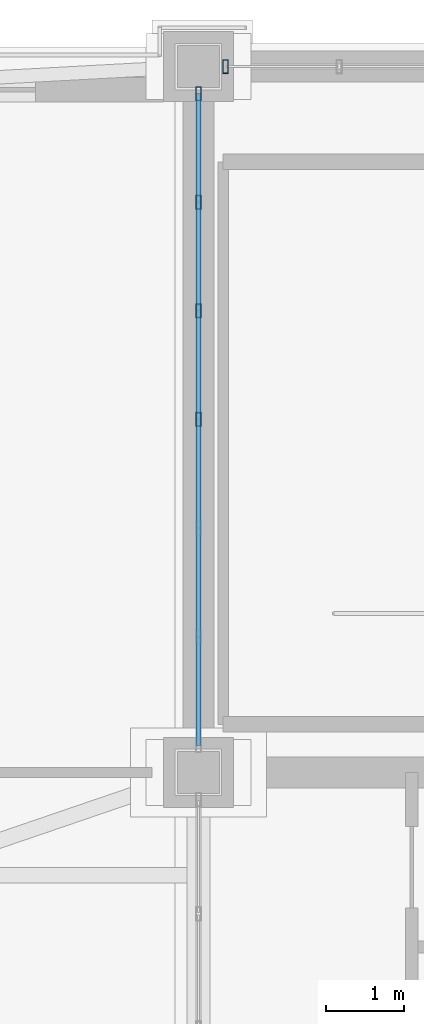
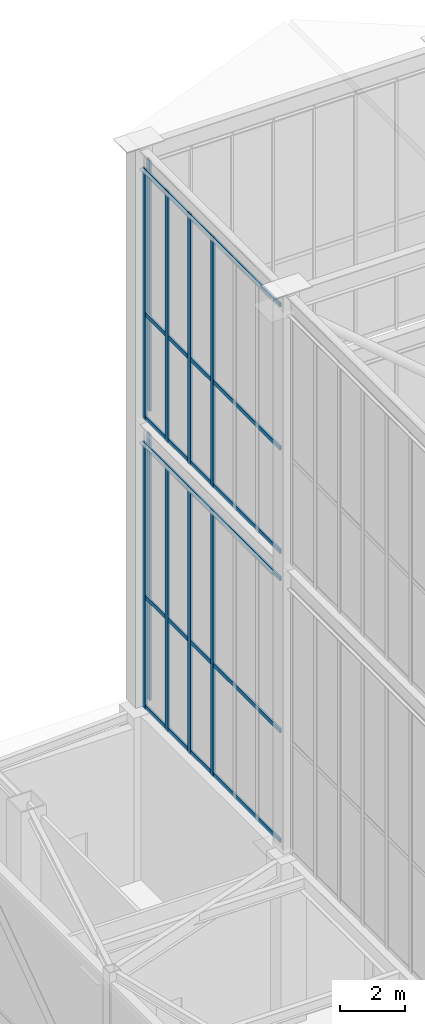
# One storey, part 21 of 135: 16 members, 4 elements without a shape of their own.
"""IFC4 building model written with IfcOpenShell, lengths in metres."""

from ifc_helpers import new_model, si_unit, direction, frame, origin, origin_2d, place, context, subcontext, project, spatial, hollow_rectangle, extrude, source, transform, mapped, material, layer, layer_set, material_profile, profile_set, type_object, element, aggregate, save


model = new_model("IFC4")

# Units and contexts
model_context = context("Model", 3, precision=1e-05, world=origin(), true_north=direction((0.0, 1.0)))
body_context = subcontext(model_context, "Body", "Model", "MODEL_VIEW")
ifc_project = project(units=[si_unit("LENGTHUNIT", "METRE"), si_unit("AREAUNIT", "SQUARE_METRE"), si_unit("VOLUMEUNIT", "CUBIC_METRE"), si_unit("PLANEANGLEUNIT", "RADIAN"), si_unit("MASSUNIT", "GRAM", prefix="KILO")], contexts=[model_context])

# Site, building, storey
site_placement = place(None, origin())
site = spatial("IfcSite", under=ifc_project, at=site_placement, CompositionType="ELEMENT")
building_placement = place(site_placement, origin())
building = spatial("IfcBuilding", under=site, at=building_placement, Name="Giltprow Tower", CompositionType="ELEMENT")
storey_placement = place(building_placement, frame((0.0, 0.0, 352.699951171875)))
storey = spatial("IfcBuildingStorey", under=building, at=storey_placement, Name="L92", CompositionType="ELEMENT", Elevation=352.699951171875)

# Curtain wall, member
ifc_material = material(Name="Anodized bronze", Category="metal")
ifc_layer = layer(ifc_material, 0.179931640625, Name="Anodized bronze")
ifc_layer_set = layer_set([ifc_layer], Name="Anodized bronze")
curtain_wall_type = type_object("IfcCurtainWallType", Name="CW-CROWN-LANTERN", PredefinedType="NOTDEFINED", material=ifc_layer_set)
curtain_wall_1_placement = place(storey_placement, origin())
curtain_wall_1 = element("IfcCurtainWall", 1, at=curtain_wall_1_placement, inside=storey, type_object=curtain_wall_type, Name="Crown West Lower Lantern Glazing 4", PredefinedType="NOTDEFINED")
ifc_material_profile_1 = material_profile(ifc_material, hollow_rectangle(XDim=0.074951171875, YDim=0.179931640625, WallThickness=0.008056640625, at=origin_2d()), Name="RHS 180x75x8")
ifc_profile_set_1 = profile_set([ifc_material_profile_1], Name="Anodized bronze")
member_type_1 = type_object("IfcMemberType", Name="CW-MULLION-180x75", PredefinedType="MULLION", material=ifc_profile_set_1)
shared_shape_1 = source(origin(), body_context, "Body", "SweptSolid", [
    extrude(hollow_rectangle(XDim=0.074951171875, YDim=0.179931640625, WallThickness=0.008056640625, at=origin_2d()), origin(), (0.0, 0.0, 1.0), 10.030029296875),
])
member_1_placement = place(storey_placement, frame((20.199951171875, 46.550048828125, 6.35009765625), z_axis=(0.0, 0.0, 1.0), x_axis=(1.0, 0.0, 0.0)))
member_1 = element("IfcMember", 2, at=member_1_placement, type_object=member_type_1, Name="Crown West Lower Lantern Glazing 4 Mullion 8", PredefinedType="MULLION", context=body_context, shape_type="MappedRepresentation", body=[
    mapped(shared_shape_1, transform((0.0, 0.0, 0.0), x_axis=(1.0, 0.0, 0.0), y_axis=(0.0, 1.0, 0.0), z_axis=(0.0, 0.0, 1.0), scale=1.0)),
])
aggregate(curtain_wall_1, [member_1])

# Curtain wall, members
curtain_wall_2_placement = place(storey_placement, origin())
curtain_wall_2 = element("IfcCurtainWall", 3, at=curtain_wall_2_placement, inside=storey, type_object=curtain_wall_type, Name="Crown West Lower Lantern Glazing 5", PredefinedType="NOTDEFINED")
member_2_placement = place(storey_placement, frame((19.85009765625, 46.199951171875, 6.35009765625), z_axis=(0.0, 0.0, 1.0), x_axis=(1.0, 0.0, 0.0)))
member_2 = element("IfcMember", 4, at=member_2_placement, type_object=member_type_1, Name="Crown West Lower Lantern Glazing 5 Mullion 1", PredefinedType="MULLION", context=body_context, shape_type="MappedRepresentation", body=[
    mapped(shared_shape_1, transform((0.0, 0.0, 0.0), x_axis=(1.0, 0.0, 0.0), y_axis=(0.0, 1.0, 0.0), z_axis=(0.0, 0.0, 1.0), scale=1.0)),
])
member_3_placement = place(storey_placement, frame((19.85009765625, 44.800048828125, 6.35009765625), z_axis=(0.0, 0.0, 1.0), x_axis=(1.0, 0.0, 0.0)))
member_3 = element("IfcMember", 5, at=member_3_placement, type_object=member_type_1, Name="Crown West Lower Lantern Glazing 5 Mullion 2", PredefinedType="MULLION", context=body_context, shape_type="MappedRepresentation", body=[
    mapped(shared_shape_1, transform((0.0, 0.0, 0.0), x_axis=(1.0, 0.0, 0.0), y_axis=(0.0, 1.0, 0.0), z_axis=(0.0, 0.0, 1.0), scale=1.0)),
])
member_4_placement = place(storey_placement, frame((19.85009765625, 43.39990234375, 6.35009765625), z_axis=(0.0, 0.0, 1.0), x_axis=(1.0, 0.0, 0.0)))
member_4 = element("IfcMember", 6, at=member_4_placement, type_object=member_type_1, Name="Crown West Lower Lantern Glazing 5 Mullion 3", PredefinedType="MULLION", context=body_context, shape_type="MappedRepresentation", body=[
    mapped(shared_shape_1, transform((0.0, 0.0, 0.0), x_axis=(1.0, 0.0, 0.0), y_axis=(0.0, 1.0, 0.0), z_axis=(0.0, 0.0, 1.0), scale=1.0)),
])
member_5_placement = place(storey_placement, frame((19.85009765625, 42.0, 6.35009765625), z_axis=(0.0, 0.0, 1.0), x_axis=(1.0, 0.0, 0.0)))
member_5 = element("IfcMember", 7, at=member_5_placement, type_object=member_type_1, Name="Crown West Lower Lantern Glazing 5 Mullion 4", PredefinedType="MULLION", context=body_context, shape_type="MappedRepresentation", body=[
    mapped(shared_shape_1, transform((0.0, 0.0, 0.0), x_axis=(1.0, 0.0, 0.0), y_axis=(0.0, 1.0, 0.0), z_axis=(0.0, 0.0, 1.0), scale=1.0)),
])

# Curtain wall, member
curtain_wall_3_placement = place(storey_placement, origin())
curtain_wall_3 = element("IfcCurtainWall", 8, at=curtain_wall_3_placement, inside=storey, type_object=curtain_wall_type, Name="Crown West Upper Lantern Glazing 4", PredefinedType="NOTDEFINED")
shared_shape_2 = source(origin(), body_context, "Body", "SweptSolid", [
    extrude(hollow_rectangle(XDim=0.074951171875, YDim=0.179931640625, WallThickness=0.008056640625, at=origin_2d()), origin(), (0.0, 0.0, 1.0), 9.45703125),
])
member_6_placement = place(storey_placement, frame((20.199951171875, 46.550048828125, 17.25), z_axis=(0.0, 0.0, 1.0), x_axis=(1.0, 0.0, 0.0)))
member_6 = element("IfcMember", 9, at=member_6_placement, type_object=member_type_1, Name="Crown West Upper Lantern Glazing 4 Mullion 8", PredefinedType="MULLION", context=body_context, shape_type="MappedRepresentation", body=[
    mapped(shared_shape_2, transform((0.0, 0.0, 0.0), x_axis=(1.0, 0.0, 0.0), y_axis=(0.0, 1.0, 0.0), z_axis=(0.0, 0.0, 1.0), scale=1.0)),
])
aggregate(curtain_wall_3, [member_6])

# Curtain wall, members
curtain_wall_4_placement = place(storey_placement, origin())
curtain_wall_4 = element("IfcCurtainWall", 10, at=curtain_wall_4_placement, inside=storey, type_object=curtain_wall_type, Name="Crown West Upper Lantern Glazing 5", PredefinedType="NOTDEFINED")
member_7_placement = place(storey_placement, frame((19.85009765625, 46.199951171875, 17.25), z_axis=(0.0, 0.0, 1.0), x_axis=(1.0, 0.0, 0.0)))
member_7 = element("IfcMember", 11, at=member_7_placement, type_object=member_type_1, Name="Crown West Upper Lantern Glazing 5 Mullion 1", PredefinedType="MULLION", context=body_context, shape_type="MappedRepresentation", body=[
    mapped(shared_shape_2, transform((0.0, 0.0, 0.0), x_axis=(1.0, 0.0, 0.0), y_axis=(0.0, 1.0, 0.0), z_axis=(0.0, 0.0, 1.0), scale=1.0)),
])
member_8_placement = place(storey_placement, frame((19.85009765625, 44.800048828125, 17.25), z_axis=(0.0, 0.0, 1.0), x_axis=(1.0, 0.0, 0.0)))
member_8 = element("IfcMember", 12, at=member_8_placement, type_object=member_type_1, Name="Crown West Upper Lantern Glazing 5 Mullion 2", PredefinedType="MULLION", context=body_context, shape_type="MappedRepresentation", body=[
    mapped(shared_shape_2, transform((0.0, 0.0, 0.0), x_axis=(1.0, 0.0, 0.0), y_axis=(0.0, 1.0, 0.0), z_axis=(0.0, 0.0, 1.0), scale=1.0)),
])
member_9_placement = place(storey_placement, frame((19.85009765625, 43.39990234375, 17.25), z_axis=(0.0, 0.0, 1.0), x_axis=(1.0, 0.0, 0.0)))
member_9 = element("IfcMember", 13, at=member_9_placement, type_object=member_type_1, Name="Crown West Upper Lantern Glazing 5 Mullion 3", PredefinedType="MULLION", context=body_context, shape_type="MappedRepresentation", body=[
    mapped(shared_shape_2, transform((0.0, 0.0, 0.0), x_axis=(1.0, 0.0, 0.0), y_axis=(0.0, 1.0, 0.0), z_axis=(0.0, 0.0, 1.0), scale=1.0)),
])
member_10_placement = place(storey_placement, frame((19.85009765625, 42.0, 17.25), z_axis=(0.0, 0.0, 1.0), x_axis=(1.0, 0.0, 0.0)))
member_10 = element("IfcMember", 14, at=member_10_placement, type_object=member_type_1, Name="Crown West Upper Lantern Glazing 5 Mullion 4", PredefinedType="MULLION", context=body_context, shape_type="MappedRepresentation", body=[
    mapped(shared_shape_2, transform((0.0, 0.0, 0.0), x_axis=(1.0, 0.0, 0.0), y_axis=(0.0, 1.0, 0.0), z_axis=(0.0, 0.0, 1.0), scale=1.0)),
])

# Member
ifc_material_profile_2 = material_profile(ifc_material, hollow_rectangle(XDim=0.06494140625, YDim=0.14990234375, WallThickness=0.006103515625, at=origin_2d()), Name="RHS 150x65x6")
ifc_profile_set_2 = profile_set([ifc_material_profile_2], Name="Anodized bronze")
member_type_2 = type_object("IfcMemberType", Name="CW-TRANSOM-150x65", PredefinedType="USERDEFINED", material=ifc_profile_set_2)
shared_shape_3 = source(origin(), body_context, "Body", "SweptSolid", [
    extrude(hollow_rectangle(XDim=0.06494140625, YDim=0.14990234375, WallThickness=0.006103515625, at=origin_2d()), origin(), (0.0, 0.0, 1.0), 8.39990234375),
])
member_11_placement = place(storey_placement, frame((19.85009765625, 46.199951171875, 6.43994140625), z_axis=(0.0, -1.0, 0.0), x_axis=(1.0, 0.0, 0.0)))
member_11 = element("IfcMember", 15, at=member_11_placement, type_object=member_type_2, Name="Crown West Lower Lantern Glazing 5 Transom 1", ObjectType="TRANSOM", PredefinedType="USERDEFINED", context=body_context, shape_type="MappedRepresentation", body=[
    mapped(shared_shape_3, transform((0.0, 0.0, 0.0), x_axis=(1.0, 0.0, 0.0), y_axis=(0.0, 1.0, 0.0), z_axis=(0.0, 0.0, 1.0), scale=1.0)),
])

member_12_placement = place(storey_placement, frame((19.85009765625, 46.199951171875, 10.5791015625), z_axis=(0.0, -1.0, 0.0), x_axis=(1.0, 0.0, 0.0)))
member_12 = element("IfcMember", 16, at=member_12_placement, type_object=member_type_2, Name="Crown West Lower Lantern Glazing 5 Transom 2", ObjectType="TRANSOM", PredefinedType="USERDEFINED", context=body_context, shape_type="MappedRepresentation", body=[
    mapped(shared_shape_3, transform((0.0, 0.0, 0.0), x_axis=(1.0, 0.0, 0.0), y_axis=(0.0, 1.0, 0.0), z_axis=(0.0, 0.0, 1.0), scale=1.0)),
])

member_13_placement = place(storey_placement, frame((19.85009765625, 46.199951171875, 16.31005859375), z_axis=(0.0, -1.0, 0.0), x_axis=(1.0, 0.0, 0.0)))
member_13 = element("IfcMember", 17, at=member_13_placement, type_object=member_type_2, Name="Crown West Lower Lantern Glazing 5 Transom 3", ObjectType="TRANSOM", PredefinedType="USERDEFINED", context=body_context, shape_type="MappedRepresentation", body=[
    mapped(shared_shape_3, transform((0.0, 0.0, 0.0), x_axis=(1.0, 0.0, 0.0), y_axis=(0.0, 1.0, 0.0), z_axis=(0.0, 0.0, 1.0), scale=1.0)),
])

aggregate(curtain_wall_2, [member_2, member_3, member_4, member_5, member_11, member_12, member_13])

member_14_placement = place(storey_placement, frame((19.85009765625, 46.199951171875, 17.340087890625), z_axis=(0.0, -1.0, 0.0), x_axis=(1.0, 0.0, 0.0)))
member_14 = element("IfcMember", 18, at=member_14_placement, type_object=member_type_2, Name="Crown West Upper Lantern Glazing 5 Transom 1", ObjectType="TRANSOM", PredefinedType="USERDEFINED", context=body_context, shape_type="MappedRepresentation", body=[
    mapped(shared_shape_3, transform((0.0, 0.0, 0.0), x_axis=(1.0, 0.0, 0.0), y_axis=(0.0, 1.0, 0.0), z_axis=(0.0, 0.0, 1.0), scale=1.0)),
])

member_15_placement = place(storey_placement, frame((19.85009765625, 46.199951171875, 21.234130859375), z_axis=(0.0, -1.0, 0.0), x_axis=(1.0, 0.0, 0.0)))
member_15 = element("IfcMember", 19, at=member_15_placement, type_object=member_type_2, Name="Crown West Upper Lantern Glazing 5 Transom 2", ObjectType="TRANSOM", PredefinedType="USERDEFINED", context=body_context, shape_type="MappedRepresentation", body=[
    mapped(shared_shape_3, transform((0.0, 0.0, 0.0), x_axis=(1.0, 0.0, 0.0), y_axis=(0.0, 1.0, 0.0), z_axis=(0.0, 0.0, 1.0), scale=1.0)),
])

member_16_placement = place(storey_placement, frame((19.85009765625, 46.199951171875, 26.626953125), z_axis=(0.0, -1.0, 0.0), x_axis=(1.0, 0.0, 0.0)))
member_16 = element("IfcMember", 20, at=member_16_placement, type_object=member_type_2, Name="Crown West Upper Lantern Glazing 5 Transom 3", ObjectType="TRANSOM", PredefinedType="USERDEFINED", context=body_context, shape_type="MappedRepresentation", body=[
    mapped(shared_shape_3, transform((0.0, 0.0, 0.0), x_axis=(1.0, 0.0, 0.0), y_axis=(0.0, 1.0, 0.0), z_axis=(0.0, 0.0, 1.0), scale=1.0)),
])

aggregate(curtain_wall_4, [member_7, member_8, member_9, member_10, member_14, member_15, member_16])

save(model, "model.ifc")
